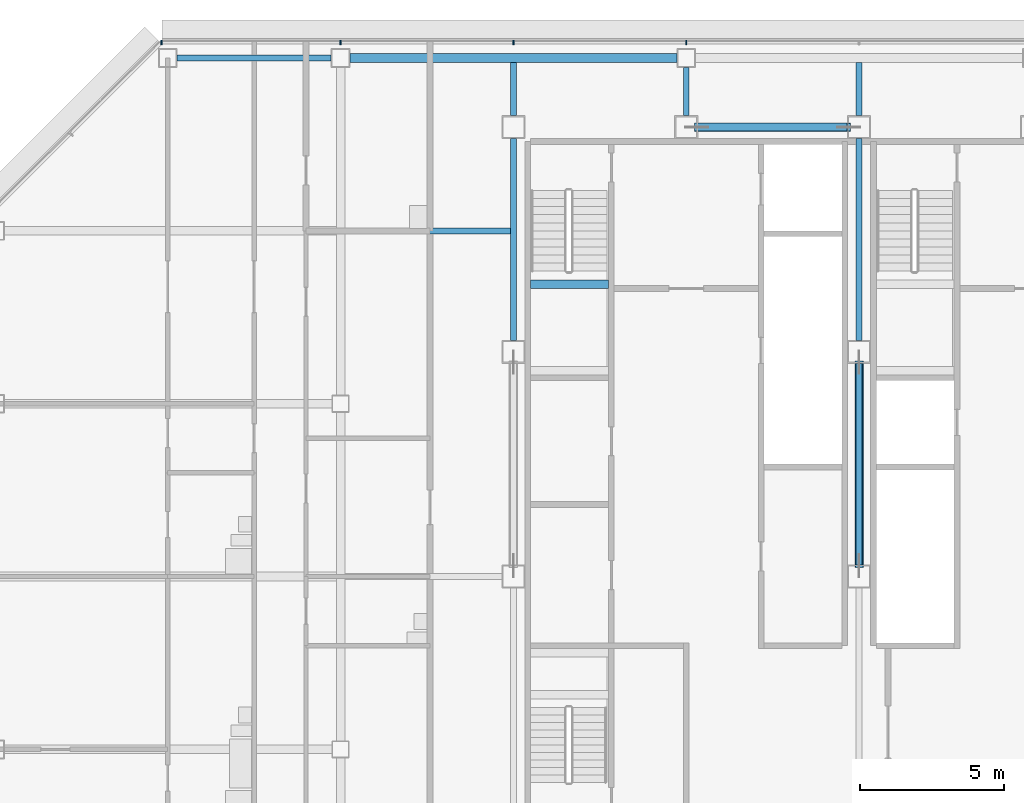
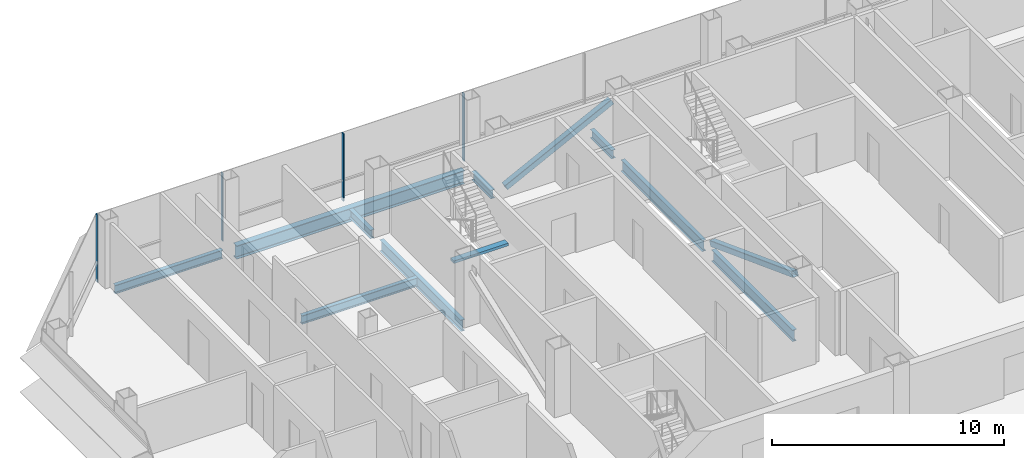
# One storey, part 12 of 27: 10 beams, 6 members, 1 element without a shape of its own.
"""IFC4 building model written with IfcOpenShell, lengths in metres."""

from ifc_helpers import new_model, si_unit, direction, frame, origin, origin_2d, place, context, subcontext, project, spatial, rectangle, hollow_rectangle, i_section, extrude, material, material_profile, profile_set, type_object, element, aggregate, save


model = new_model("IFC4")

# Units and contexts
model_context = context("Model", 3, precision=1e-05, world=origin(), true_north=direction((0.0, 1.0)))
body_context = subcontext(model_context, "Body", "Model", "MODEL_VIEW")
ifc_project = project(units=[si_unit("LENGTHUNIT", "METRE"), si_unit("AREAUNIT", "SQUARE_METRE"), si_unit("VOLUMEUNIT", "CUBIC_METRE"), si_unit("PLANEANGLEUNIT", "RADIAN"), si_unit("MASSUNIT", "GRAM", prefix="KILO")], contexts=[model_context])

# Site, building, storey
site_placement = place(None, origin())
site = spatial("IfcSite", under=ifc_project, at=site_placement, CompositionType="ELEMENT")
building_placement = place(site_placement, origin())
building = spatial("IfcBuilding", under=site, at=building_placement, Name="Sorahane Residences", CompositionType="ELEMENT")
storey_placement = place(building_placement, frame((0.0, 0.0, 206.39990234375)))
storey = spatial("IfcBuildingStorey", under=building, at=storey_placement, Name="L48", CompositionType="ELEMENT", Elevation=206.39990234375)

# Members
ifc_material_1 = material(Name="Steel Q355B", Category="steel")
ifc_material_profile_1 = material_profile(ifc_material_1, hollow_rectangle(XDim=0.300048828125, YDim=0.300048828125, WallThickness=0.01611328125, InnerFilletRadius=0.008056640625, OuterFilletRadius=0.02392578125, at=origin_2d()), Name="RHS 300x300x16")
ifc_profile_set_1 = profile_set([ifc_material_profile_1], Name="Steel Q355B")
member_type_1 = type_object("IfcMemberType", Name="Core brace RHS 300x300x16 Q355B", PredefinedType="BRACE", material=ifc_profile_set_1)
member_1_placement = place(storey_placement, frame((12.359375, 45.60009765625, 0.129638671875), z_axis=(0.892371710858, 0.0, 0.451301151849), x_axis=(0.0, 1.0, 0.0)))
element("IfcMember", 1, at=member_1_placement, inside=storey, type_object=member_type_1, Name="Core brace L48 y45.6-2", PredefinedType="BRACE", context=body_context, shape_type="SweptSolid", body=[
    extrude(hollow_rectangle(XDim=0.300048828125, YDim=0.300048828125, WallThickness=0.01611328125, InnerFilletRadius=0.008056640625, OuterFilletRadius=0.02392578125, at=origin_2d()), origin(), (0.0, 0.0, 1.0), 5.918212890625),
])
member_2_placement = place(storey_placement, frame((18.0, 37.431640625, 0.13818359375), z_axis=(0.0, -0.936106926968, 0.351715540291), x_axis=(1.0, 0.0, 0.0)))
element("IfcMember", 2, at=member_2_placement, inside=storey, type_object=member_type_1, Name="Core brace L48 x18-1", PredefinedType="BRACE", context=body_context, shape_type="SweptSolid", body=[
    extrude(hollow_rectangle(XDim=0.300048828125, YDim=0.300048828125, WallThickness=0.01611328125, InnerFilletRadius=0.008056640625, OuterFilletRadius=0.02392578125, at=origin_2d()), origin(), (0.0, 0.0, 1.0), 7.54541015625),
])

# Curtain wall, members
ifc_material_2 = material(Name="Dark low-e glass and black anodised aluminium", Category="aluminium")
curtain_wall_type = type_object("IfcCurtainWallType", Name="Curtain wall CW-1 Typical unitised wall", PredefinedType="NOTDEFINED", material=ifc_material_2)
curtain_wall_placement = place(storey_placement, origin())
curtain_wall = element("IfcCurtainWall", 3, at=curtain_wall_placement, inside=storey, type_object=curtain_wall_type, Name="CW-1 curtain wall L48 N1", PredefinedType="NOTDEFINED")
ifc_material_3 = material(Name="Black anodised aluminium", Category="aluminium")
ifc_material_profile_2 = material_profile(ifc_material_3, rectangle(XDim=0.159912109375, YDim=0.050048828125, at=origin_2d()), Name="Curtain wall mullion CW-1 black anodised aluminium 50x160")
ifc_profile_set_2 = profile_set([ifc_material_profile_2], Name="Black anodised aluminium")
member_type_2 = type_object("IfcMemberType", Name="Curtain wall mullion CW-1 black anodised aluminium 50x160", PredefinedType="MULLION", material=ifc_profile_set_2)
member_3_placement = place(storey_placement, frame((12.0, 48.5400390625, -0.179931640625), z_axis=(0.0, 0.0, 1.0), x_axis=(0.0, 1.0, 0.0)))
member_3 = element("IfcMember", 4, at=member_3_placement, type_object=member_type_2, Name="CW-1 mullion L48 N1.7", PredefinedType="MULLION", context=body_context, shape_type="SweptSolid", body=[
    extrude(rectangle(XDim=0.159912109375, YDim=0.050048828125, at=origin_2d()), origin(), (0.0, 0.0, 1.0), 3.56005859375),
])
member_4_placement = place(storey_placement, frame((6.0, 48.5400390625, -0.179931640625), z_axis=(0.0, 0.0, 1.0), x_axis=(0.0, 1.0, 0.0)))
member_4 = element("IfcMember", 5, at=member_4_placement, type_object=member_type_2, Name="CW-1 mullion L48 N1.8", PredefinedType="MULLION", context=body_context, shape_type="SweptSolid", body=[
    extrude(rectangle(XDim=0.159912109375, YDim=0.050048828125, at=origin_2d()), origin(), (0.0, 0.0, 1.0), 3.56005859375),
])
member_5_placement = place(storey_placement, frame((0.0, 48.5400390625, -0.179931640625), z_axis=(0.0, 0.0, 1.0), x_axis=(0.0, 1.0, 0.0)))
member_5 = element("IfcMember", 6, at=member_5_placement, type_object=member_type_2, Name="CW-1 mullion L48 N1.9", PredefinedType="MULLION", context=body_context, shape_type="SweptSolid", body=[
    extrude(rectangle(XDim=0.159912109375, YDim=0.050048828125, at=origin_2d()), origin(), (0.0, 0.0, 1.0), 3.56005859375),
])
member_6_placement = place(storey_placement, frame((-6.2236328125, 48.5400390625, -0.179931640625), z_axis=(0.0, 0.0, 1.0), x_axis=(0.0, 1.0, 0.0)))
member_6 = element("IfcMember", 7, at=member_6_placement, type_object=member_type_2, Name="CW-1 mullion L48 N1.10", PredefinedType="MULLION", context=body_context, shape_type="SweptSolid", body=[
    extrude(rectangle(XDim=0.159912109375, YDim=0.050048828125, at=origin_2d()), origin(), (0.0, 0.0, 1.0), 3.56005859375),
])
aggregate(curtain_wall, [member_3, member_4, member_5, member_6])

# Beams
ifc_material_4 = material(Name="Concrete C40", Category="concrete")
ifc_material_profile_3 = material_profile(ifc_material_4, rectangle(XDim=0.300048828125, YDim=0.139892578125, at=origin_2d()), Name="300x140")
ifc_profile_set_3 = profile_set([ifc_material_profile_3], Name="Concrete C40")
beam_type_1 = type_object("IfcBeamType", Name="RC landing beam 300 x 140 Concrete C40", PredefinedType="BEAM", material=ifc_profile_set_3)
beam_1_placement = place(storey_placement, frame((6.60009765625, 40.14990234375, 1.530029296875), z_axis=(1.0, 0.0, 0.0), x_axis=(0.0, 1.0, 0.0)))
element("IfcBeam", 8, at=beam_1_placement, inside=storey, type_object=beam_type_1, Name="Landing beam", PredefinedType="BEAM", context=body_context, shape_type="SweptSolid", body=[
    extrude(rectangle(XDim=0.300048828125, YDim=0.139892578125, at=origin_2d()), origin(), (0.0, 0.0, 1.0), 2.699951171875),
])
ifc_material_5 = material(Name="Steel Q355B", Category="steel")
ifc_material_profile_4 = material_profile(ifc_material_5, i_section(OverallWidth=0.199951171875, OverallDepth=0.449951171875, WebThickness=0.009033203125, FlangeThickness=0.013916015625, FilletRadius=0.02001953125, at=origin_2d()), Name="HN 450x200x9x14")
ifc_profile_set_4 = profile_set([ifc_material_profile_4], Name="Steel Q355B")
beam_type_2 = type_object("IfcBeamType", Name="Steel floor beam HN 450x200x9x14 Q355B", PredefinedType="BEAM", material=ifc_profile_set_4)
beam_2_placement = place(storey_placement, frame((-5.675048828125, 48.0, -0.40478515625), z_axis=(1.0, 0.0, 0.0), x_axis=(0.0, 1.0, 0.0)))
element("IfcBeam", 9, at=beam_2_placement, inside=storey, type_object=beam_type_2, Name="Beam L48 015", PredefinedType="BEAM", context=body_context, shape_type="SweptSolid", body=[
    extrude(i_section(OverallWidth=0.199951171875, OverallDepth=0.449951171875, WebThickness=0.009033203125, FlangeThickness=0.013916015625, FilletRadius=0.02001953125, at=origin_2d()), origin(), (0.0, 0.0, 1.0), 5.35009765625),
])
beam_3_placement = place(storey_placement, frame((6.0, 46.0, -0.40478515625), z_axis=(0.0, 1.0, 0.0), x_axis=(-1.0, 0.0, 0.0)))
element("IfcBeam", 10, at=beam_3_placement, inside=storey, type_object=beam_type_2, Name="Beam L48 033", PredefinedType="BEAM", context=body_context, shape_type="SweptSolid", body=[
    extrude(i_section(OverallWidth=0.199951171875, OverallDepth=0.449951171875, WebThickness=0.009033203125, FlangeThickness=0.013916015625, FilletRadius=0.02001953125, at=origin_2d()), origin(), (0.0, 0.0, 1.0), 1.85009765625),
])
beam_4_placement = place(storey_placement, frame((12.0, 46.0, -0.40478515625), z_axis=(0.0, 1.0, 0.0), x_axis=(-1.0, 0.0, 0.0)))
element("IfcBeam", 11, at=beam_4_placement, inside=storey, type_object=beam_type_2, Name="Beam L48 035", PredefinedType="BEAM", context=body_context, shape_type="SweptSolid", body=[
    extrude(i_section(OverallWidth=0.199951171875, OverallDepth=0.449951171875, WebThickness=0.009033203125, FlangeThickness=0.013916015625, FilletRadius=0.02001953125, at=origin_2d()), origin(), (0.0, 0.0, 1.0), 1.675048828125),
])
beam_5_placement = place(storey_placement, frame((18.0, 46.0, -0.40478515625), z_axis=(0.0, 1.0, 0.0), x_axis=(-1.0, 0.0, 0.0)))
element("IfcBeam", 12, at=beam_5_placement, inside=storey, type_object=beam_type_2, Name="Beam L48 041", PredefinedType="BEAM", context=body_context, shape_type="SweptSolid", body=[
    extrude(i_section(OverallWidth=0.199951171875, OverallDepth=0.449951171875, WebThickness=0.009033203125, FlangeThickness=0.013916015625, FilletRadius=0.02001953125, at=origin_2d()), origin(), (0.0, 0.0, 1.0), 1.85009765625),
])
beam_6_placement = place(storey_placement, frame((0.14990234375, 42.0, -0.40478515625), z_axis=(1.0, 0.0, 0.0), x_axis=(0.0, 1.0, 0.0)))
element("IfcBeam", 13, at=beam_6_placement, inside=storey, type_object=beam_type_2, Name="Beam L48 090", PredefinedType="BEAM", context=body_context, shape_type="SweptSolid", body=[
    extrude(i_section(OverallWidth=0.199951171875, OverallDepth=0.449951171875, WebThickness=0.009033203125, FlangeThickness=0.013916015625, FilletRadius=0.02001953125, at=origin_2d()), origin(), (0.0, 0.0, 1.0), 5.75),
])
ifc_material_6 = material(Name="Steel Q355B", Category="steel")
ifc_material_profile_5 = material_profile(ifc_material_6, i_section(OverallWidth=0.199951171875, OverallDepth=0.60009765625, WebThickness=0.010986328125, FlangeThickness=0.01708984375, FilletRadius=0.02392578125, at=origin_2d()), Name="HN 600x200x11x17")
ifc_profile_set_5 = profile_set([ifc_material_profile_5], Name="Steel Q355B")
beam_type_3 = type_object("IfcBeamType", Name="Steel floor beam HN 600x200x11x17 Q355B", PredefinedType="BEAM", material=ifc_profile_set_5)
for number, where, z_axis, x_axis, name in (
    (14, (6.0, 38.199951171875, -0.47998046875), (0.0, 1.0, 0.0), (-1.0, 0.0, 0.0), "Beam L48 032"),
    (15, (18.0, 30.39990234375, -0.47998046875), (0.0, 1.0, 0.0), (-1.0, 0.0, 0.0), "Beam L48 039"),
    (16, (18.0, 38.199951171875, -0.47998046875), (0.0, 1.0, 0.0), (-1.0, 0.0, 0.0), "Beam L48 040"),
):
    element("IfcBeam", number, at=place(storey_placement, frame(where, z_axis=z_axis, x_axis=x_axis)), inside=storey, type_object=beam_type_3, Name=name, PredefinedType="BEAM", context=body_context, shape_type="SweptSolid", body=[
        extrude(i_section(OverallWidth=0.199951171875, OverallDepth=0.60009765625, WebThickness=0.010986328125, FlangeThickness=0.01708984375, FilletRadius=0.02392578125, at=origin_2d()), origin(), (0.0, 0.0, 1.0), 7.0),
    ])
ifc_material_7 = material(Name="Steel Q355B", Category="steel")
ifc_material_profile_6 = material_profile(ifc_material_7, i_section(OverallWidth=0.300048828125, OverallDepth=0.699951171875, WebThickness=0.012939453125, FlangeThickness=0.02392578125, FilletRadius=0.028076171875, at=origin_2d()), Name="HN 700x300x13x24")
ifc_profile_set_6 = profile_set([ifc_material_profile_6], Name="Steel Q355B")
beam_type_4 = type_object("IfcBeamType", Name="Steel floor beam HN 700x300x13x24 Q355B", PredefinedType="BEAM", material=ifc_profile_set_6)
beam_7_placement = place(storey_placement, frame((0.324951171875, 48.0, -0.52978515625), z_axis=(1.0, 0.0, 0.0), x_axis=(0.0, 1.0, 0.0)))
element("IfcBeam", 17, at=beam_7_placement, inside=storey, type_object=beam_type_4, Name="Beam L48 016", PredefinedType="BEAM", context=body_context, shape_type="SweptSolid", body=[
    extrude(i_section(OverallWidth=0.300048828125, OverallDepth=0.699951171875, WebThickness=0.012939453125, FlangeThickness=0.02392578125, FilletRadius=0.028076171875, at=origin_2d()), origin(), (0.0, 0.0, 1.0), 11.35009765625),
])

save(model, "model.ifc")
